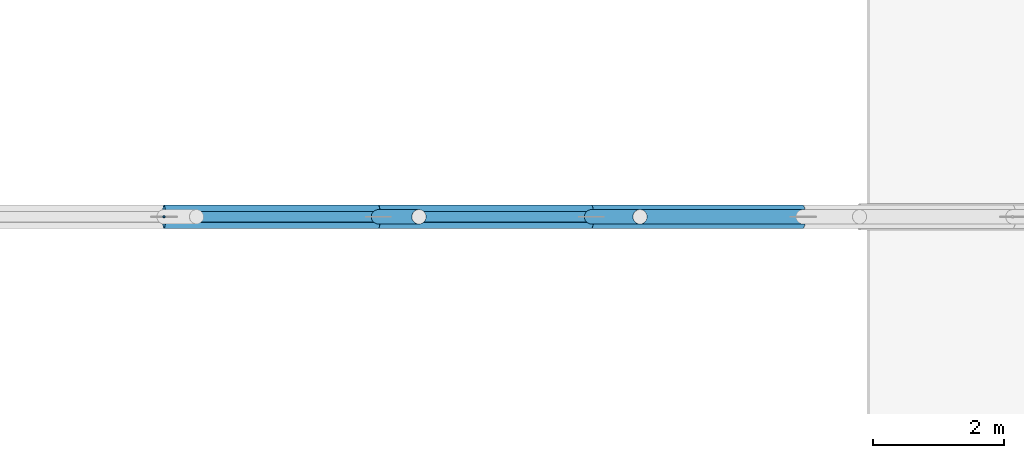
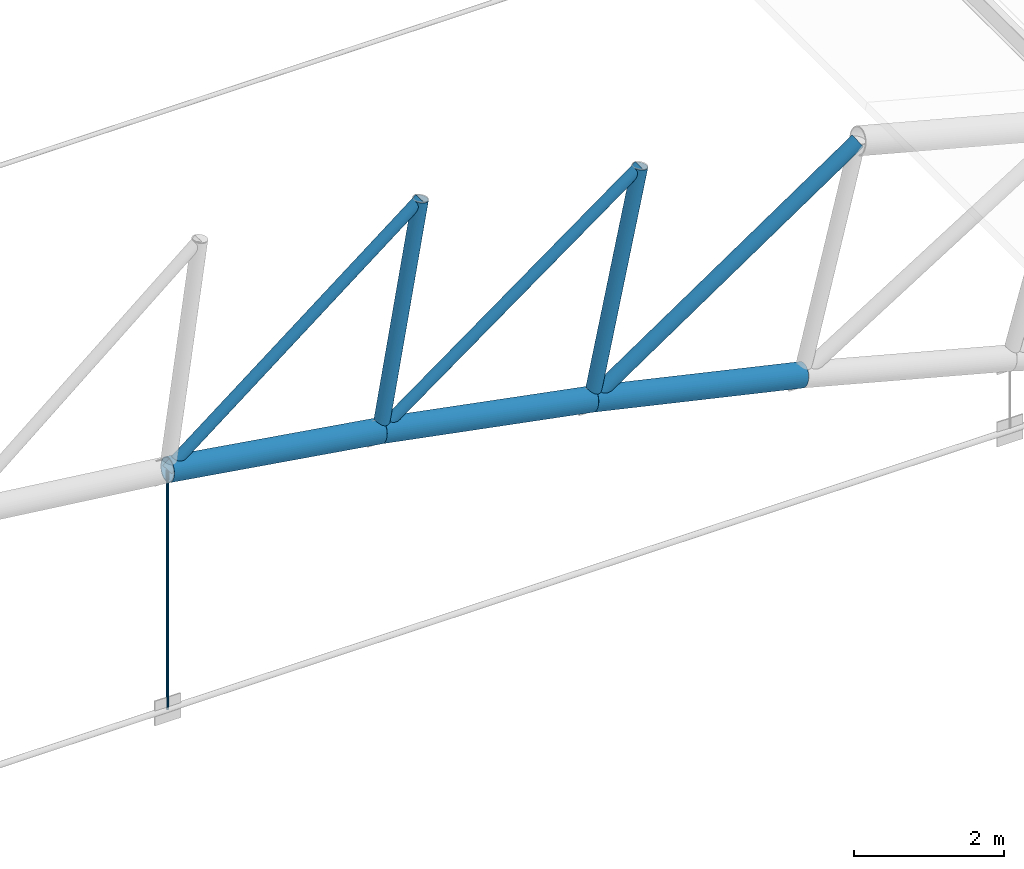
# One storey, part 47 of 321: 9 members.
"""IFC4 building model written with IfcOpenShell, lengths in metres."""

from ifc_helpers import new_model, si_unit, direction, frame, origin, origin_2d, place, context, subcontext, project, spatial, circle, hollow_circle, extrude, material, material_profile, profile_set, type_object, element, save


model = new_model("IFC4")

# Units and contexts
model_context = context("Model", 3, precision=1e-05, world=origin(), true_north=direction((0.0, 1.0)))
body_context = subcontext(model_context, "Body", "Model", "MODEL_VIEW")
ifc_project = project(units=[si_unit("LENGTHUNIT", "METRE"), si_unit("AREAUNIT", "SQUARE_METRE"), si_unit("VOLUMEUNIT", "CUBIC_METRE"), si_unit("PLANEANGLEUNIT", "RADIAN"), si_unit("MASSUNIT", "GRAM", prefix="KILO")], contexts=[model_context])

# Site, building, storey
site_placement = place(None, origin())
site = spatial("IfcSite", under=ifc_project, at=site_placement, CompositionType="ELEMENT")
building_placement = place(site_placement, origin())
building = spatial("IfcBuilding", under=site, at=building_placement, Name="Ravi Spectrum Wholesale Market", CompositionType="ELEMENT")
storey_placement = place(building_placement, frame((0.0, 0.0, 10.800048828125)))
storey = spatial("IfcBuildingStorey", under=building, at=storey_placement, Name="L02", CompositionType="ELEMENT", Elevation=10.800048828125)

# Members
ifc_material_1 = material(Name="Steel S355", Category="steel")
ifc_material_profile_1 = material_profile(ifc_material_1, hollow_circle(Radius=0.084228515625, WallThickness=0.00634765625, at=origin_2d()))
ifc_profile_set_1 = profile_set([ifc_material_profile_1], Name="Steel S355")
member_type_1 = type_object("IfcMemberType", Name="CHS 168.3x6.3 brace", PredefinedType="BRACE", material=ifc_profile_set_1)
for number, where, z_axis, x_axis, name in (
    (1, (87.0673828125, 54.0, 6.92431640625), (-0.787944778548, 0.0, -0.615745910225), (0.0, -1.0, 0.0), "H1-MB-L02-249"),
    (2, (90.436279296875, 54.0, 6.27734375), (-0.808703958366, 0.0, -0.588215868303), (0.0, -1.0, 0.0), "H1-MB-L02-250"),
):
    element("IfcMember", number, at=place(storey_placement, frame(where, z_axis=z_axis, x_axis=x_axis)), inside=storey, type_object=member_type_1, Name=name, PredefinedType="BRACE", context=body_context, shape_type="SweptSolid", body=[
        extrude(hollow_circle(Radius=0.084228515625, WallThickness=0.00634765625, at=origin_2d()), origin(), (0.0, 0.0, 1.0), 4.9296875),
    ])
ifc_material_2 = material(Name="Steel S355", Category="steel")
ifc_material_profile_2 = material_profile(ifc_material_2, hollow_circle(Radius=0.109619140625, WallThickness=0.008056640625, at=origin_2d()))
ifc_profile_set_2 = profile_set([ifc_material_profile_2], Name="Steel S355")
member_type_2 = type_object("IfcMemberType", Name="CHS 219.1x8 brace", PredefinedType="BRACE", material=ifc_profile_set_2)
member_1_placement = place(storey_placement, frame((93.78076171875, 54.0, 5.514404296875), z_axis=(-0.828544259915, 0.0, -0.559923574573), x_axis=(0.0, -1.0, 0.0)))
element("IfcMember", 3, at=member_1_placement, inside=storey, type_object=member_type_2, Name="H1-MB-L02-251", PredefinedType="BRACE", context=body_context, shape_type="SweptSolid", body=[
    extrude(hollow_circle(Radius=0.109619140625, WallThickness=0.008056640625, at=origin_2d()), origin(), (0.0, 0.0, 1.0), 4.9296875),
])
ifc_material_3 = material(Name="Steel S355", Category="steel")
ifc_material_profile_3 = material_profile(ifc_material_3, hollow_circle(Radius=0.109619140625, WallThickness=0.008056640625, at=origin_2d()))
ifc_profile_set_3 = profile_set([ifc_material_profile_3], Name="Steel S355")
member_type_3 = type_object("IfcMemberType", Name="CHS 219.1x8 post", PredefinedType="POST", material=ifc_profile_set_3)
for number, where, z_axis, x_axis, name in (
    (4, (87.0673828125, 54.0, 6.92431640625), (-0.171575852457, 0.0, -0.985170912509), (0.0, -1.0, 0.0), "H1-MB-L02-227"),
    (5, (90.436279296875, 54.0, 6.27734375), (-0.205549060287, 0.0, -0.978646812602), (0.0, -1.0, 0.0), "H1-MB-L02-228"),
):
    element("IfcMember", number, at=place(storey_placement, frame(where, z_axis=z_axis, x_axis=x_axis)), inside=storey, type_object=member_type_3, Name=name, PredefinedType="POST", context=body_context, shape_type="SweptSolid", body=[
        extrude(hollow_circle(Radius=0.109619140625, WallThickness=0.008056640625, at=origin_2d()), origin(), (0.0, 0.0, 1.0), 3.60009765625),
    ])
ifc_material_4 = material(Name="Steel S355", Category="steel")
ifc_material_profile_4 = material_profile(ifc_material_4, hollow_circle(Radius=0.177734375, WallThickness=0.012451171875, at=origin_2d()))
ifc_profile_set_4 = profile_set([ifc_material_profile_4], Name="Steel S355")
member_type_4 = type_object("IfcMemberType", Name="CHS 355.6x12.5 chord", PredefinedType="CHORD", material=ifc_profile_set_4)
member_2_placement = place(storey_placement, frame((83.18310546875, 54.0, 3.888916015625), z_axis=(0.987973992944, 0.0, -0.154620145084), x_axis=(0.0, 1.0, 0.0)))
element("IfcMember", 6, at=member_2_placement, inside=storey, type_object=member_type_4, Name="H1-MB-L02-203", PredefinedType="CHORD", context=body_context, shape_type="SweptSolid", body=[
    extrude(hollow_circle(Radius=0.177734375, WallThickness=0.012451171875, at=origin_2d()), origin(), (0.0, 0.0, 1.0), 3.306396484375),
])
member_3_placement = place(storey_placement, frame((86.44970703125, 54.0, 3.377685546875), z_axis=(0.982051718756, 0.0, -0.188611828072), x_axis=(0.0, 1.0, 0.0)))
element("IfcMember", 7, at=member_3_placement, inside=storey, type_object=member_type_4, Name="H1-MB-L02-204", PredefinedType="CHORD", context=body_context, shape_type="SweptSolid", body=[
    extrude(hollow_circle(Radius=0.177734375, WallThickness=0.012451171875, at=origin_2d()), origin(), (0.0, 0.0, 1.0), 3.305908203125),
])
member_4_placement = place(storey_placement, frame((89.6962890625, 54.0, 2.754150390625), z_axis=(0.974967923727, 0.0, -0.222345559217), x_axis=(0.0, 1.0, 0.0)))
element("IfcMember", 8, at=member_4_placement, inside=storey, type_object=member_type_4, Name="H1-MB-L02-205", PredefinedType="CHORD", context=body_context, shape_type="SweptSolid", body=[
    extrude(hollow_circle(Radius=0.177734375, WallThickness=0.012451171875, at=origin_2d()), origin(), (0.0, 0.0, 1.0), 3.30615234375),
])
ifc_material_5 = material(Name="Steel S355", Category="steel")
ifc_material_profile_5 = material_profile(ifc_material_5, circle(Radius=0.01806640625, at=origin_2d()))
ifc_profile_set_5 = profile_set([ifc_material_profile_5], Name="Steel S355")
member_type_5 = type_object("IfcMemberType", Name="ROD 36 hanger", PredefinedType="STRUT", material=ifc_profile_set_5)
member_5_placement = place(storey_placement, frame((83.18310546875, 54.0, 0.0), z_axis=(0.0, 0.0, 1.0), x_axis=(1.0, 0.0, 0.0)))
element("IfcMember", 9, at=member_5_placement, inside=storey, type_object=member_type_5, Name="H1-MB-L02-260", PredefinedType="STRUT", context=body_context, shape_type="SweptSolid", body=[
    extrude(circle(Radius=0.01806640625, at=origin_2d()), origin(), (0.0, 0.0, 1.0), 3.888916015625),
])

save(model, "model.ifc")
